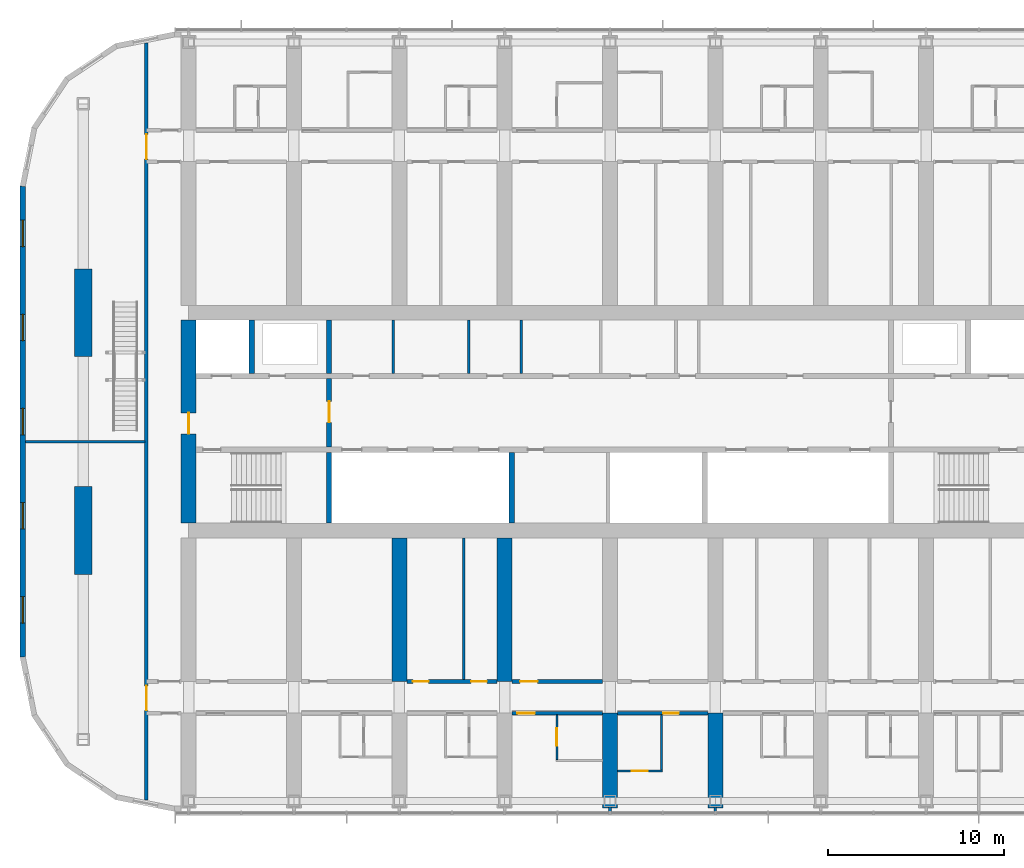
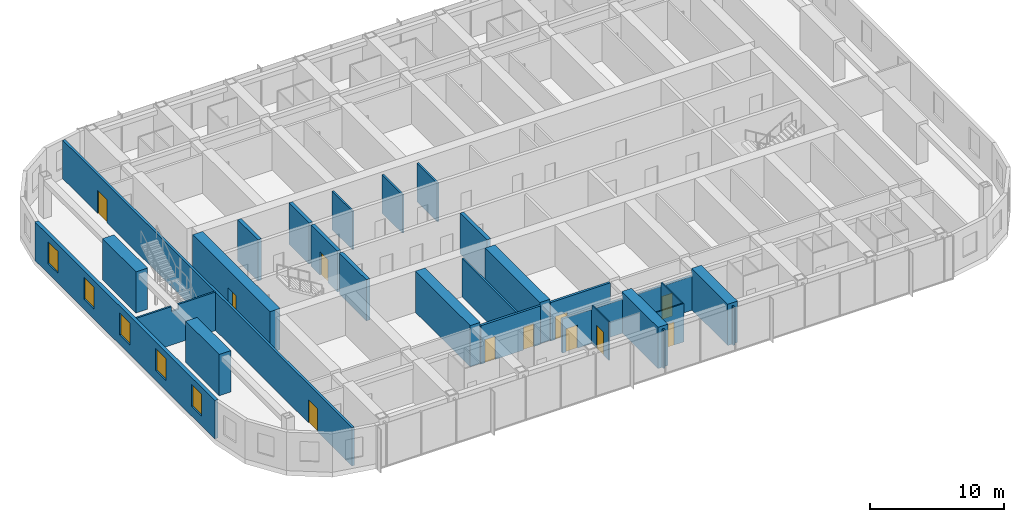
# One storey, part 13 of 27: 28 walls, 11 doors, 5 windows, 16 openings.
"""IFC4 building model written with IfcOpenShell, lengths in metres."""

from ifc_helpers import new_model, si_unit, direction, frame, frame_2d, origin, place, context, subcontext, project, spatial, polyline, rectangle, outline, extrude, material, layer, layer_set, type_object, element, fill, save


model = new_model("IFC4")

# Units and contexts
model_context = context("Model", 3, precision=1e-05, world=origin(), true_north=direction((0.0, 1.0)))
body_context = subcontext(model_context, "Body", "Model", "MODEL_VIEW")
ifc_project = project(units=[si_unit("LENGTHUNIT", "METRE"), si_unit("AREAUNIT", "SQUARE_METRE"), si_unit("VOLUMEUNIT", "CUBIC_METRE"), si_unit("PLANEANGLEUNIT", "RADIAN"), si_unit("MASSUNIT", "GRAM", prefix="KILO")], contexts=[model_context])

# Site, building, storey
site_placement = place(None, origin())
site = spatial("IfcSite", under=ifc_project, at=site_placement, CompositionType="ELEMENT")
building_placement = place(site_placement, origin())
building = spatial("IfcBuilding", under=site, at=building_placement, Name="Orbita Commons", CompositionType="ELEMENT")
storey_placement = place(building_placement, frame((0.0, 0.0, 178.60009765625)))
storey = spatial("IfcBuildingStorey", under=building, at=storey_placement, Name="L44", CompositionType="ELEMENT", Elevation=178.60009765625)

# Wall
ifc_material_1 = material(Name="Concrete C50/60", Category="concrete")
ifc_layer_1 = layer(ifc_material_1, 0.300048828125)
ifc_layer_set_1 = layer_set([ifc_layer_1], Name="Concrete C50/60")
wall_type_1 = type_object("IfcWallType", Name="Core inner wall 300 C50/60", PredefinedType="SHEAR", material=ifc_layer_set_1)
wall_1_placement = place(storey_placement, frame((26.0, 26.22509765625, 0.0), z_axis=(0.0, 0.0, 1.0), x_axis=(0.0, 1.0, 0.0)))
element("IfcWall", 1, at=wall_1_placement, inside=storey, type_object=wall_type_1, Name="Stair S1 wall L44", PredefinedType="SHEAR", context=body_context, shape_type="SweptSolid", body=[
    extrude(rectangle(XDim=4.02490234375, YDim=0.300048828125, at=frame_2d((2.012451171875, 0.0))), origin(), (0.0, 0.0, 1.0), 3.75),
])

# Wall, opening, door
wall_2_placement = place(storey_placement, frame((26.0, 30.550048828125, 0.0), z_axis=(0.0, 0.0, 1.0), x_axis=(0.0, 1.0, 0.0)))
wall_2 = element("IfcWall", 2, at=wall_2_placement, inside=storey, type_object=wall_type_1, Name="Firefighting lobby wall west L44", PredefinedType="SHEAR", context=body_context, shape_type="SweptSolid", body=[
    extrude(rectangle(XDim=3.89990234375, YDim=0.300048828125, at=frame_2d((1.949951171875, 0.0))), origin(), (0.0, 0.0, 1.0), 3.75),
])
opening_1_placement = place(wall_2_placement, frame((1.39990234375, 0.0, 0.0)))
opening_1 = element("IfcOpeningElement", 3, at=opening_1_placement, cuts=wall_2, Name="Opening D04", PredefinedType="OPENING", context=body_context, shape_type="SweptSolid", body=[
    extrude(rectangle(XDim=1.199951171875, YDim=2.10009765625, at=frame_2d((0.60009765625, 1.050048828125))), frame((0.0, 0.159912109375, 0.0), z_axis=(0.0, -1.0, 0.0), x_axis=(1.0, 0.0, 0.0)), (0.0, 0.0, 1.0), 0.320068359375),
])
ifc_material_2 = material(Name="Steel-faced fire door leaf", Category="steel")
door_type_1 = type_object("IfcDoorType", Name="Service door 20 min 1200x2100", OperationType="SINGLE_SWING_LEFT", PredefinedType="DOOR", material=ifc_material_2)
door_1_placement = place(opening_1_placement, origin())
door_1 = element("IfcDoor", 4, at=door_1_placement, inside=storey, type_object=door_type_1, Name="Lift lobby door west", OperationType="SINGLE_SWING_LEFT", OverallHeight=2.10009765625, OverallWidth=1.199951171875, PredefinedType="DOOR", context=body_context, shape_type="SweptSolid", body=[
    extrude(rectangle(XDim=1.199951171875, YDim=2.10009765625, at=frame_2d((0.60009765625, 1.050048828125))), frame((0.0, 0.02490234375, 0.0), z_axis=(0.0, -1.0, 0.0), x_axis=(1.0, 0.0, 0.0)), (0.0, 0.0, 1.0), 0.050048828125),
])
fill(opening_1, door_1)

# Walls
for number, where, z_axis, x_axis, name in (
    (5, (21.60009765625, 34.75, 0.0), (0.0, 0.0, 1.0), (0.0, 1.0, 0.0), "Firefighting lift FL1 shaft wall L44"),
    (6, (26.0, 34.75, 0.0), (0.0, 0.0, 1.0), (0.0, 1.0, 0.0), "Riser wall west L44"),
):
    element("IfcWall", number, at=place(storey_placement, frame(where, z_axis=z_axis, x_axis=x_axis)), inside=storey, type_object=wall_type_1, Name=name, PredefinedType="SHEAR", context=body_context, shape_type="SweptSolid", body=[
        extrude(rectangle(XDim=3.02490234375, YDim=0.300048828125, at=frame_2d((1.512451171875, 0.0))), origin(), (0.0, 0.0, 1.0), 3.75),
    ])
wall_3_placement = place(storey_placement, frame((36.39990234375, 26.22509765625, 0.0), z_axis=(0.0, 0.0, 1.0), x_axis=(0.0, 1.0, 0.0)))
element("IfcWall", 7, at=wall_3_placement, inside=storey, type_object=wall_type_1, Name="Hoistway division wall L44", PredefinedType="SHEAR", context=body_context, shape_type="SweptSolid", body=[
    extrude(rectangle(XDim=4.02490234375, YDim=0.300048828125, at=frame_2d((2.012451171875, 0.0))), origin(), (0.0, 0.0, 1.0), 3.75),
])
ifc_material_3 = material(Name="Concrete blockwork", Category="masonry")
ifc_layer_2 = layer(ifc_material_3, 0.14990234375)
ifc_layer_set_2 = layer_set([ifc_layer_2], Name="Concrete blockwork")
wall_type_2 = type_object("IfcWallType", Name="Core partition 150 blockwork", PredefinedType="SOLIDWALL", material=ifc_layer_set_2)
for number, where, z_axis, x_axis, name in (
    (8, (29.65087890625, 34.75, 0.0), (0.0, 0.0, 1.0), (0.0, 1.0, 0.0), "Core partition 150 blockwork L44"),
    (9, (33.9462890625, 34.75, 0.0), (0.0, 0.0, 1.0), (0.0, 1.0, 0.0), "Core partition 150 blockwork L44"),
    (10, (36.9462890625, 34.75, 0.0), (0.0, 0.0, 1.0), (0.0, 1.0, 0.0), "Core partition 150 blockwork L44"),
):
    element("IfcWall", number, at=place(storey_placement, frame(where, z_axis=z_axis, x_axis=x_axis)), inside=storey, type_object=wall_type_2, Name=name, PredefinedType="SOLIDWALL", context=body_context, shape_type="SweptSolid", body=[
        extrude(rectangle(XDim=3.02490234375, YDim=0.14990234375, at=frame_2d((1.512451171875, 0.0))), origin(), (0.0, 0.0, 1.0), 3.5),
    ])

# Wall, opening, door
ifc_material_4 = material(Name="Concrete C50/60", Category="concrete")
ifc_layer_3 = layer(ifc_material_4, 0.85009765625)
ifc_layer_set_3 = layer_set([ifc_layer_3], Name="Concrete C50/60")
wall_type_3 = type_object("IfcWallType", Name="Core wall 850 C50/60", PredefinedType="SHEAR", material=ifc_layer_set_3)
wall_4_placement = place(storey_placement, frame((18.0, 26.22509765625, 0.0), z_axis=(0.0, 0.0, 1.0), x_axis=(0.0, 1.0, 0.0)))
wall_4 = element("IfcWall", 11, at=wall_4_placement, inside=storey, type_object=wall_type_3, Name="Core end wall west L44", PredefinedType="SHEAR", context=body_context, shape_type="SweptSolid", body=[
    extrude(rectangle(XDim=11.5498046875, YDim=0.85009765625, at=frame_2d((5.77490234375, 0.0))), origin(), (0.0, 0.0, 1.0), 3.75),
])
opening_2_placement = place(wall_4_placement, frame((5.074951171875, 0.0, 0.0)))
opening_2 = element("IfcOpeningElement", 12, at=opening_2_placement, cuts=wall_4, Name="Opening D01", PredefinedType="OPENING", context=body_context, shape_type="SweptSolid", body=[
    extrude(rectangle(XDim=1.199951171875, YDim=2.10009765625, at=frame_2d((0.60009765625, 1.050048828125))), frame((0.0, 0.43505859375, 0.0), z_axis=(0.0, -1.0, 0.0), x_axis=(1.0, 0.0, 0.0)), (0.0, 0.0, 1.0), 0.8701171875),
])
ifc_material_5 = material(Name="Steel-faced fire door leaf", Category="steel")
door_type_2 = type_object("IfcDoorType", Name="Fire door 90 min 1200x2100", OperationType="SINGLE_SWING_LEFT", PredefinedType="DOOR", material=ifc_material_5)
door_2_placement = place(opening_2_placement, origin())
door_2 = element("IfcDoor", 13, at=door_2_placement, inside=storey, type_object=door_type_2, Name="Firefighting lobby west door", OperationType="SINGLE_SWING_LEFT", OverallHeight=2.10009765625, OverallWidth=1.199951171875, PredefinedType="DOOR", context=body_context, shape_type="SweptSolid", body=[
    extrude(rectangle(XDim=1.199951171875, YDim=2.10009765625, at=frame_2d((0.60009765625, 1.050048828125))), frame((0.0, 0.02490234375, 0.0), z_axis=(0.0, -1.0, 0.0), x_axis=(1.0, 0.0, 0.0)), (0.0, 0.0, 1.0), 0.050048828125),
])
fill(opening_2, door_2)

ifc_material_6 = material(Name="Concrete blockwork", Category="masonry")
ifc_layer_4 = layer(ifc_material_6, 0.199951171875)
ifc_layer_set_4 = layer_set([ifc_layer_4], Name="Concrete blockwork")
wall_type_4 = type_object("IfcWallType", Name="Corridor wall 200 blockwork", PredefinedType="SOLIDWALL", material=ifc_layer_set_4)
wall_5_placement = place(storey_placement, frame((36.425048828125, 15.39990234375, 0.0), z_axis=(0.0, 0.0, 1.0), x_axis=(1.0, 0.0, 0.0)))
wall_5 = element("IfcWall", 14, at=wall_5_placement, inside=storey, type_object=wall_type_4, Name="Corridor wall 200 blockwork L44", PredefinedType="SOLIDWALL", context=body_context, shape_type="SweptSolid", body=[
    extrude(outline(polyline([(0.0, 0.0), (5.14990234375, 0.0), (5.14990234375, 3.099853515625), (0.0, 3.099853515625), (0.0, 0.0)])), frame((0.0, 0.10009765625, 0.0), z_axis=(0.0, -1.0, 0.0), x_axis=(1.0, 0.0, 0.0)), (0.0, 0.0, 1.0), 0.199951171875),
])
opening_3_placement = place(wall_5_placement, frame((0.300048828125, 0.0, 0.0)))
opening_3 = element("IfcOpeningElement", 15, at=opening_3_placement, cuts=wall_5, Name="Opening D06", PredefinedType="OPENING", context=body_context, shape_type="SweptSolid", body=[
    extrude(rectangle(XDim=1.0, YDim=2.10009765625, at=frame_2d((0.5, 1.050048828125))), frame((0.0, 0.10986328125, 0.0), z_axis=(0.0, -1.0, 0.0), x_axis=(1.0, 0.0, 0.0)), (0.0, 0.0, 1.0), 0.219970703125),
])
ifc_material_7 = material(Name="Steel-faced fire door leaf", Category="steel")
door_type_3 = type_object("IfcDoorType", Name="Corridor door 20 min 1000x2100", OperationType="SINGLE_SWING_LEFT", PredefinedType="DOOR", material=ifc_material_7)
door_3_placement = place(opening_3_placement, origin())
door_3 = element("IfcDoor", 16, at=door_3_placement, inside=storey, type_object=door_type_3, Name="Accessible bedroom L44-S06 door", OperationType="SINGLE_SWING_LEFT", OverallHeight=2.10009765625, OverallWidth=1.0, PredefinedType="DOOR", context=body_context, shape_type="SweptSolid", body=[
    extrude(rectangle(XDim=1.0, YDim=2.10009765625, at=frame_2d((0.5, 1.050048828125))), frame((0.0, 0.02490234375, 0.0), z_axis=(0.0, -1.0, 0.0), x_axis=(1.0, 0.0, 0.0)), (0.0, 0.0, 1.0), 0.050048828125),
])
fill(opening_3, door_3)

wall_6_placement = place(storey_placement, frame((42.425048828125, 15.39990234375, 0.0), z_axis=(0.0, 0.0, 1.0), x_axis=(1.0, 0.0, 0.0)))
wall_6 = element("IfcWall", 17, at=wall_6_placement, inside=storey, type_object=wall_type_4, Name="Corridor wall 200 blockwork L44", PredefinedType="SOLIDWALL", context=body_context, shape_type="SweptSolid", body=[
    extrude(outline(polyline([(0.0, 0.0), (5.14990234375, 0.0), (5.14990234375, 3.099853515625), (0.0, 3.099853515625), (0.0, 0.0)])), frame((0.0, 0.10009765625, 0.0), z_axis=(0.0, -1.0, 0.0), x_axis=(1.0, 0.0, 0.0)), (0.0, 0.0, 1.0), 0.199951171875),
])
opening_4_placement = place(wall_6_placement, frame((2.60009765625, 0.0, 0.0)))
opening_4 = element("IfcOpeningElement", 18, at=opening_4_placement, cuts=wall_6, Name="Opening D11", PredefinedType="OPENING", context=body_context, shape_type="SweptSolid", body=[
    extrude(rectangle(XDim=0.89990234375, YDim=2.10009765625, at=frame_2d((0.449951171875, 1.050048828125))), frame((0.0, 0.10986328125, 0.0), z_axis=(0.0, -1.0, 0.0), x_axis=(1.0, 0.0, 0.0)), (0.0, 0.0, 1.0), 0.219970703125),
])
ifc_material_8 = material(Name="Steel-faced fire door leaf", Category="steel")
door_type_4 = type_object("IfcDoorType", Name="Corridor door 20 min 900x2100", OperationType="SINGLE_SWING_LEFT", PredefinedType="DOOR", material=ifc_material_8)
door_4_placement = place(opening_4_placement, origin())
door_4 = element("IfcDoor", 19, at=door_4_placement, inside=storey, type_object=door_type_4, Name="Twin room L44-S08 door", OperationType="SINGLE_SWING_LEFT", OverallHeight=2.10009765625, OverallWidth=0.89990234375, PredefinedType="DOOR", context=body_context, shape_type="SweptSolid", body=[
    extrude(rectangle(XDim=0.89990234375, YDim=2.10009765625, at=frame_2d((0.449951171875, 1.050048828125))), frame((0.0, 0.02490234375, 0.0), z_axis=(0.0, -1.0, 0.0), x_axis=(1.0, 0.0, 0.0)), (0.0, 0.0, 1.0), 0.050048828125),
])
fill(opening_4, door_4)

# Wall, openings, doors
wall_7_placement = place(storey_placement, frame((15.60009765625, 10.4462890625, 0.0), z_axis=(0.0, 0.0, 1.0), x_axis=(0.0, 1.0, 0.0)))
wall_7 = element("IfcWall", 20, at=wall_7_placement, inside=storey, type_object=wall_type_4, Name="Corridor wall 200 blockwork L44", PredefinedType="SOLIDWALL", context=body_context, shape_type="SweptSolid", body=[
    extrude(rectangle(XDim=43.107421875, YDim=0.199951171875, at=frame_2d((21.5537109375, 0.0))), origin(), (0.0, 0.0, 1.0), 3.5),
])
opening_5_placement = place(wall_7_placement, frame((5.103759765625, 0.0, 0.0)))
opening_5 = element("IfcOpeningElement", 21, at=opening_5_placement, cuts=wall_7, Name="Opening D08", PredefinedType="OPENING", context=body_context, shape_type="SweptSolid", body=[
    extrude(rectangle(XDim=1.39990234375, YDim=2.10009765625, at=frame_2d((0.699951171875, 1.050048828125))), frame((0.0, 0.10986328125, 0.0), z_axis=(0.0, -1.0, 0.0), x_axis=(1.0, 0.0, 0.0)), (0.0, 0.0, 1.0), 0.219970703125),
])
opening_6_placement = place(wall_7_placement, frame((36.50390625, 0.0, 0.0)))
opening_6 = element("IfcOpeningElement", 22, at=opening_6_placement, cuts=wall_7, Name="Opening D08", PredefinedType="OPENING", context=body_context, shape_type="SweptSolid", body=[
    extrude(rectangle(XDim=1.39990234375, YDim=2.10009765625, at=frame_2d((0.699951171875, 1.050048828125))), frame((0.0, 0.10986328125, 0.0), z_axis=(0.0, -1.0, 0.0), x_axis=(1.0, 0.0, 0.0)), (0.0, 0.0, 1.0), 0.219970703125),
])
ifc_material_9 = material(Name="Steel-faced fire door leaf", Category="steel")
door_type_5 = type_object("IfcDoorType", Name="Double corridor door 20 min 1400x2100", OperationType="DOUBLE_DOOR_SINGLE_SWING", PredefinedType="DOOR", material=ifc_material_9)
door_5_placement = place(opening_5_placement, origin())
door_5 = element("IfcDoor", 23, at=door_5_placement, inside=storey, type_object=door_type_5, Name="Lounge doors", OperationType="DOUBLE_DOOR_SINGLE_SWING", OverallHeight=2.10009765625, OverallWidth=1.39990234375, PredefinedType="DOOR", context=body_context, shape_type="SweptSolid", body=[
    extrude(rectangle(XDim=1.39990234375, YDim=2.10009765625, at=frame_2d((0.699951171875, 1.050048828125))), frame((0.0, 0.02490234375, 0.0), z_axis=(0.0, -1.0, 0.0), x_axis=(1.0, 0.0, 0.0)), (0.0, 0.0, 1.0), 0.050048828125),
])
fill(opening_5, door_5)
door_6_placement = place(opening_6_placement, origin())
door_6 = element("IfcDoor", 24, at=door_6_placement, inside=storey, type_object=door_type_5, Name="Lounge doors", OperationType="DOUBLE_DOOR_SINGLE_SWING", OverallHeight=2.10009765625, OverallWidth=1.39990234375, PredefinedType="DOOR", context=body_context, shape_type="SweptSolid", body=[
    extrude(rectangle(XDim=1.39990234375, YDim=2.10009765625, at=frame_2d((0.699951171875, 1.050048828125))), frame((0.0, 0.02490234375, 0.0), z_axis=(0.0, -1.0, 0.0), x_axis=(1.0, 0.0, 0.0)), (0.0, 0.0, 1.0), 0.050048828125),
])
fill(opening_6, door_6)

ifc_material_10 = material(Name="Hollow concrete block 200", Category="concrete")
ifc_layer_5 = layer(ifc_material_10, 0.199951171875)
ifc_layer_set_5 = layer_set([ifc_layer_5], Name="Hollow concrete block 200")
wall_type_5 = type_object("IfcWallType", Name="Corridor wall 200 hollow concrete block", PredefinedType="SOLIDWALL", material=ifc_layer_set_5)
wall_8_placement = place(storey_placement, frame((30.425048828125, 17.199951171875, 0.0), z_axis=(0.0, 0.0, 1.0), x_axis=(1.0, 0.0, 0.0)))
wall_8 = element("IfcWall", 25, at=wall_8_placement, inside=storey, type_object=wall_type_5, Name="Corridor wall 200 hollow concrete block L44", PredefinedType="SOLIDWALL", context=body_context, shape_type="SweptSolid", body=[
    extrude(rectangle(XDim=5.14990234375, YDim=0.199951171875, at=frame_2d((2.574951171875, 0.0))), origin(), (0.0, 0.0, 1.0), 3.5),
])
opening_7_placement = place(wall_8_placement, frame((0.35009765625, 0.0, 0.0)))
opening_7 = element("IfcOpeningElement", 26, at=opening_7_placement, cuts=wall_8, Name="Opening D11", PredefinedType="OPENING", context=body_context, shape_type="SweptSolid", body=[
    extrude(rectangle(XDim=0.89990234375, YDim=2.10009765625, at=frame_2d((0.449951171875, 1.050048828125))), frame((0.0, 0.10986328125, 0.0), z_axis=(0.0, -1.0, 0.0), x_axis=(1.0, 0.0, 0.0)), (0.0, 0.0, 1.0), 0.219970703125),
])
opening_8_placement = place(wall_8_placement, frame((3.6650390625, 0.0, 0.0)))
opening_8 = element("IfcOpeningElement", 27, at=opening_8_placement, cuts=wall_8, Name="Opening D11", PredefinedType="OPENING", context=body_context, shape_type="SweptSolid", body=[
    extrude(rectangle(XDim=0.89990234375, YDim=2.10009765625, at=frame_2d((0.449951171875, 1.050048828125))), frame((0.0, 0.10986328125, 0.0), z_axis=(0.0, -1.0, 0.0), x_axis=(1.0, 0.0, 0.0)), (0.0, 0.0, 1.0), 0.219970703125),
])
door_7_placement = place(opening_7_placement, origin())
door_7 = element("IfcDoor", 28, at=door_7_placement, inside=storey, type_object=door_type_4, Name="Maker workshop L44-BDS30 door", OperationType="SINGLE_SWING_LEFT", OverallHeight=2.10009765625, OverallWidth=0.89990234375, PredefinedType="DOOR", context=body_context, shape_type="SweptSolid", body=[
    extrude(rectangle(XDim=0.89990234375, YDim=2.10009765625, at=frame_2d((0.449951171875, 1.050048828125))), frame((0.0, 0.02490234375, 0.0), z_axis=(0.0, -1.0, 0.0), x_axis=(1.0, 0.0, 0.0)), (0.0, 0.0, 1.0), 0.050048828125),
])
fill(opening_7, door_7)
door_8_placement = place(opening_8_placement, origin())
door_8 = element("IfcDoor", 29, at=door_8_placement, inside=storey, type_object=door_type_4, Name="Accessible WC and shower room L44-BDS30n door", OperationType="SINGLE_SWING_LEFT", OverallHeight=2.10009765625, OverallWidth=0.89990234375, PredefinedType="DOOR", context=body_context, shape_type="SweptSolid", body=[
    extrude(rectangle(XDim=0.89990234375, YDim=2.10009765625, at=frame_2d((0.449951171875, 1.050048828125))), frame((0.0, 0.02490234375, 0.0), z_axis=(0.0, -1.0, 0.0), x_axis=(1.0, 0.0, 0.0)), (0.0, 0.0, 1.0), 0.050048828125),
])
fill(opening_8, door_8)

# Wall, opening, door
wall_9_placement = place(storey_placement, frame((36.425048828125, 17.199951171875, 0.0), z_axis=(0.0, 0.0, 1.0), x_axis=(1.0, 0.0, 0.0)))
wall_9 = element("IfcWall", 30, at=wall_9_placement, inside=storey, type_object=wall_type_5, Name="Corridor wall 200 hollow concrete block L44", PredefinedType="SOLIDWALL", context=body_context, shape_type="SweptSolid", body=[
    extrude(rectangle(XDim=5.14990234375, YDim=0.199951171875, at=frame_2d((2.574951171875, 0.0))), origin(), (0.0, 0.0, 1.0), 3.5),
])
opening_9_placement = place(wall_9_placement, frame((0.449951171875, 0.0, 0.0)))
opening_9 = element("IfcOpeningElement", 31, at=opening_9_placement, cuts=wall_9, Name="Opening D06", PredefinedType="OPENING", context=body_context, shape_type="SweptSolid", body=[
    extrude(rectangle(XDim=1.0, YDim=2.10009765625, at=frame_2d((0.5, 1.050048828125))), frame((0.0, 0.10986328125, 0.0), z_axis=(0.0, -1.0, 0.0), x_axis=(1.0, 0.0, 0.0)), (0.0, 0.0, 1.0), 0.219970703125),
])
door_9_placement = place(opening_9_placement, origin())
door_9 = element("IfcDoor", 32, at=door_9_placement, inside=storey, type_object=door_type_3, Name="Drying room L44-BDS36 door", OperationType="SINGLE_SWING_LEFT", OverallHeight=2.10009765625, OverallWidth=1.0, PredefinedType="DOOR", context=body_context, shape_type="SweptSolid", body=[
    extrude(rectangle(XDim=1.0, YDim=2.10009765625, at=frame_2d((0.5, 1.050048828125))), frame((0.0, 0.02490234375, 0.0), z_axis=(0.0, -1.0, 0.0), x_axis=(1.0, 0.0, 0.0)), (0.0, 0.0, 1.0), 0.050048828125),
])
fill(opening_9, door_9)

# Walls
ifc_material_11 = material(Name="Concrete C50/60", Category="concrete")
ifc_layer_6 = layer(ifc_material_11, 0.85009765625)
ifc_layer_set_6 = layer_set([ifc_layer_6], Name="Concrete C50/60")
wall_type_6 = type_object("IfcWallType", Name="Cross wall 850 C50/60", PredefinedType="SHEAR", material=ifc_layer_set_6)
for number, where, z_axis, x_axis, name in (
    (33, (30.0, 17.199951171875, 0.0), (0.0, 0.0, 1.0), (0.0, 1.0, 0.0), "Cross wall 6 south inner L44"),
    (34, (36.0, 17.199951171875, 0.0), (0.0, 0.0, 1.0), (0.0, 1.0, 0.0), "Cross wall 7 south inner L44"),
):
    element("IfcWall", number, at=place(storey_placement, frame(where, z_axis=z_axis, x_axis=x_axis)), inside=storey, type_object=wall_type_6, Name=name, PredefinedType="SHEAR", context=body_context, shape_type="SweptSolid", body=[
        extrude(rectangle(XDim=8.175048828125, YDim=0.85009765625, at=frame_2d((4.08740234375, 0.0))), origin(), (0.0, 0.0, 1.0), 3.75),
    ])
for number, where, z_axis, x_axis, name in (
    (35, (42.0, 10.0, 0.0), (0.0, 0.0, 1.0), (0.0, 1.0, 0.0), "Cross wall 8 south outer L44"),
    (36, (48.0, 10.0, 0.0), (0.0, 0.0, 1.0), (0.0, 1.0, 0.0), "Cross wall 9 south outer L44"),
):
    element("IfcWall", number, at=place(storey_placement, frame(where, z_axis=z_axis, x_axis=x_axis)), inside=storey, type_object=wall_type_6, Name=name, PredefinedType="SHEAR", context=body_context, shape_type="SweptSolid", body=[
        extrude(rectangle(XDim=5.39990234375, YDim=0.85009765625, at=frame_2d((2.699951171875, 0.0))), origin(), (0.0, 0.0, 1.0), 3.75),
    ])

# Wall, opening, door
ifc_material_12 = material(Name="Moisture-resistant plasterboard on steel studs", Category="steel")
ifc_layer_7 = layer(ifc_material_12, 0.10009765625)
ifc_layer_set_7 = layer_set([ifc_layer_7], Name="Moisture-resistant plasterboard on steel studs")
wall_type_7 = type_object("IfcWallType", Name="En-suite partition 100", PredefinedType="PARTITIONING", material=ifc_layer_set_7)
wall_10_placement = place(storey_placement, frame((38.97509765625, 12.75, 0.0), z_axis=(0.0, 0.0, 1.0), x_axis=(0.0, 1.0, 0.0)))
wall_10 = element("IfcWall", 37, at=wall_10_placement, inside=storey, type_object=wall_type_7, Name="En-suite partition 100 L44", PredefinedType="PARTITIONING", context=body_context, shape_type="SweptSolid", body=[
    extrude(outline(polyline([(0.0, 0.0), (2.550048828125, 0.0), (2.550048828125, 3.099853515625), (2.501953125, 3.099853515625), (2.5, 3.5), (0.0, 3.5), (0.0, 0.0)])), frame((0.0, 0.050048828125, 0.0), z_axis=(0.0, -1.0, 0.0), x_axis=(1.0, 0.0, 0.0)), (0.0, 0.0, 1.0), 0.10009765625),
])
opening_10_placement = place(wall_10_placement, frame((0.800048828125, 0.0, 0.0)))
opening_10 = element("IfcOpeningElement", 38, at=opening_10_placement, cuts=wall_10, Name="Opening D13", PredefinedType="OPENING", context=body_context, shape_type="SweptSolid", body=[
    extrude(rectangle(XDim=1.0, YDim=2.10009765625, at=frame_2d((0.5, 1.050048828125))), frame((0.0, 0.06005859375, 0.0), z_axis=(0.0, -1.0, 0.0), x_axis=(1.0, 0.0, 0.0)), (0.0, 0.0, 1.0), 0.1201171875),
])
ifc_material_13 = material(Name="Laminated timber door leaf", Category="wood")
door_type_6 = type_object("IfcDoorType", Name="En-suite door 1000x2100", OperationType="SINGLE_SWING_RIGHT", PredefinedType="DOOR", material=ifc_material_13)
door_10_placement = place(opening_10_placement, origin())
door_10 = element("IfcDoor", 39, at=door_10_placement, inside=storey, type_object=door_type_6, Name="Accessible shower room L44-S06 door", OperationType="SINGLE_SWING_RIGHT", OverallHeight=2.10009765625, OverallWidth=1.0, PredefinedType="DOOR", context=body_context, shape_type="SweptSolid", body=[
    extrude(rectangle(XDim=1.0, YDim=2.10009765625, at=frame_2d((0.5, 1.050048828125))), frame((0.0, 0.02490234375, 0.0), z_axis=(0.0, -1.0, 0.0), x_axis=(1.0, 0.0, 0.0)), (0.0, 0.0, 1.0), 0.050048828125),
])
fill(opening_10, door_10)

wall_11_placement = place(storey_placement, frame((44.97509765625, 12.10009765625, 0.0), z_axis=(0.0, 0.0, 1.0), x_axis=(-1.0, 0.0, 0.0)))
wall_11 = element("IfcWall", 40, at=wall_11_placement, inside=storey, type_object=wall_type_7, Name="En-suite partition 100 L44", PredefinedType="PARTITIONING", context=body_context, shape_type="SweptSolid", body=[
    extrude(rectangle(XDim=2.550048828125, YDim=0.10009765625, at=frame_2d((1.27490234375, 0.0))), origin(), (0.0, 0.0, 1.0), 3.5),
])
opening_11_placement = place(wall_11_placement, frame((0.824951171875, 0.0, 0.0)))
opening_11 = element("IfcOpeningElement", 41, at=opening_11_placement, cuts=wall_11, Name="Opening D09", PredefinedType="OPENING", context=body_context, shape_type="SweptSolid", body=[
    extrude(rectangle(XDim=0.89990234375, YDim=2.10009765625, at=frame_2d((0.449951171875, 1.050048828125))), frame((0.0, 0.06005859375, 0.0), z_axis=(0.0, -1.0, 0.0), x_axis=(1.0, 0.0, 0.0)), (0.0, 0.0, 1.0), 0.1201171875),
])
ifc_material_14 = material(Name="Laminated timber door leaf", Category="wood")
door_type_7 = type_object("IfcDoorType", Name="En-suite door 900x2100", OperationType="SINGLE_SWING_RIGHT", PredefinedType="DOOR", material=ifc_material_14)
door_11_placement = place(opening_11_placement, origin())
door_11 = element("IfcDoor", 42, at=door_11_placement, inside=storey, type_object=door_type_7, Name="En-suite L44-S08 door", OperationType="SINGLE_SWING_RIGHT", OverallHeight=2.10009765625, OverallWidth=0.89990234375, PredefinedType="DOOR", context=body_context, shape_type="SweptSolid", body=[
    extrude(rectangle(XDim=0.89990234375, YDim=2.10009765625, at=frame_2d((0.449951171875, 1.050048828125))), frame((0.0, 0.02490234375, 0.0), z_axis=(0.0, -1.0, 0.0), x_axis=(1.0, 0.0, 0.0)), (0.0, 0.0, 1.0), 0.050048828125),
])
fill(opening_11, door_11)

# Walls
wall_12_placement = place(storey_placement, frame((44.925048828125, 12.14990234375, 0.0), z_axis=(0.0, 0.0, 1.0), x_axis=(0.0, 1.0, 0.0)))
element("IfcWall", 43, at=wall_12_placement, inside=storey, type_object=wall_type_7, Name="En-suite partition 100 L44", PredefinedType="PARTITIONING", context=body_context, shape_type="SweptSolid", body=[
    extrude(outline(polyline([(0.0, 0.0), (3.150146484375, 0.0), (3.14990234375, 3.099853515625), (3.10205078125, 3.099853515625), (3.10009765625, 3.5), (0.0, 3.5), (0.0, 0.0)])), frame((0.0, 0.050048828125, 0.0), z_axis=(0.0, -1.0, 0.0), x_axis=(1.0, 0.0, 0.0)), (0.0, 0.0, 1.0), 0.10009765625),
])
ifc_material_15 = material(Name="Concrete C50/60", Category="concrete")
ifc_layer_8 = layer(ifc_material_15, 1.0)
ifc_layer_set_8 = layer_set([ifc_layer_8], Name="Concrete C50/60")
wall_type_8 = type_object("IfcWallType", Name="End pier 1000x5000 C50/60", PredefinedType="SHEAR", material=ifc_layer_set_8)
for number, where, z_axis, x_axis, name in (
    (44, (12.0, 23.300048828125, 0.0), (0.0, 0.0, 1.0), (0.0, 1.0, 0.0), "End pier 3/C L44"),
    (45, (12.0, 35.699951171875, 0.0), (0.0, 0.0, 1.0), (0.0, 1.0, 0.0), "End pier 3/D L44"),
):
    element("IfcWall", number, at=place(storey_placement, frame(where, z_axis=z_axis, x_axis=x_axis)), inside=storey, type_object=wall_type_8, Name=name, PredefinedType="SHEAR", context=body_context, shape_type="SweptSolid", body=[
        extrude(rectangle(XDim=5.0, YDim=1.0, at=frame_2d((2.5, 0.0))), origin(), (0.0, 0.0, 1.0), 3.75),
    ])
ifc_material_16 = material(Name="Gypsum plasterboard on steel studs", Category="steel")
ifc_layer_9 = layer(ifc_material_16, 0.14990234375)
ifc_layer_set_9 = layer_set([ifc_layer_9], Name="Gypsum plasterboard on steel studs")
wall_type_9 = type_object("IfcWallType", Name="Partition 150 plasterboard", PredefinedType="PARTITIONING", material=ifc_layer_set_9)
wall_13_placement = place(storey_placement, frame((33.6650390625, 17.300048828125, 0.0), z_axis=(0.0, 0.0, 1.0), x_axis=(0.0, 1.0, 0.0)))
element("IfcWall", 46, at=wall_13_placement, inside=storey, type_object=wall_type_9, Name="Partition 150 plasterboard L44", PredefinedType="PARTITIONING", context=body_context, shape_type="SweptSolid", body=[
    extrude(rectangle(XDim=8.074951171875, YDim=0.14990234375, at=frame_2d((4.03759765625, 0.0))), origin(), (0.0, 0.0, 1.0), 3.5),
])
wall_14_placement = place(storey_placement, frame((8.705078125, 30.85009765625, 0.0), z_axis=(0.0, 0.0, 1.0), x_axis=(1.0, 0.0, 0.0)))
element("IfcWall", 47, at=wall_14_placement, inside=storey, type_object=wall_type_9, Name="Partition 150 plasterboard L44", PredefinedType="PARTITIONING", context=body_context, shape_type="SweptSolid", body=[
    extrude(outline(polyline([(0.0, 0.0), (6.81982421875, 0.0), (6.820068359375, 3.5), (3.596923828125, 3.5), (3.594970703125, 3.0498046875), (2.9970703125, 3.0498046875), (2.9951171875, 3.5), (0.0, 3.5), (0.0, 0.0)])), frame((0.0, 0.074951171875, 0.0), z_axis=(0.0, -1.0, 0.0), x_axis=(1.0, 0.0, 0.0)), (0.0, 0.0, 1.0), 0.14990234375),
])
for number, where, z_axis, x_axis, name in (
    (48, (42.0, 10.050048828125, 0.0), (0.0, 0.0, 1.0), (0.0, -1.0, 0.0), "Partition 150 plasterboard L44"),
    (49, (48.0, 10.050048828125, 0.0), (0.0, 0.0, 1.0), (0.0, -1.0, 0.0), "Partition 150 plasterboard L44"),
):
    element("IfcWall", number, at=place(storey_placement, frame(where, z_axis=z_axis, x_axis=x_axis)), inside=storey, type_object=wall_type_9, Name=name, PredefinedType="PARTITIONING", context=body_context, shape_type="SweptSolid", body=[
        extrude(rectangle(XDim=0.239990234375, YDim=0.14990234375, at=frame_2d((0.1201171875, 0.0))), origin(), (0.0, 0.0, 1.0), 3.5),
    ])

# Wall, openings, windows
ifc_material_17 = material(Name="Precast concrete C40/50, white board-marked finish", Category="concrete")
ifc_layer_10 = layer(ifc_material_17, 0.300048828125)
ifc_layer_set_10 = layer_set([ifc_layer_10], Name="Precast concrete C40/50, white board-marked finish")
wall_type_10 = type_object("IfcWallType", Name="Precast concrete end shield 300", PredefinedType="SOLIDWALL", material=ifc_layer_set_10)
wall_15_placement = place(storey_placement, frame((8.550048828125, 45.39990234375, 0.0), z_axis=(0.0, 0.0, 1.0), x_axis=(0.0, -1.0, 0.0)))
wall_15 = element("IfcWall", 50, at=wall_15_placement, inside=storey, type_object=wall_type_10, Name="End shield W L44", PredefinedType="SOLIDWALL", context=body_context, shape_type="SweptSolid", body=[
    extrude(outline(polyline([(-0.014892578125, -0.14990234375), (26.814697265625, -0.14990234375), (26.784912109375, 0.14990234375), (0.014892578125, 0.14990234375), (-0.014892578125, -0.14990234375)])), origin(), (0.0, 0.0, 1.0), 3.5),
])
opening_12_placement = place(wall_15_placement, frame((1.929931640625, 0.0, 0.89990234375)))
opening_12 = element("IfcOpeningElement", 51, at=opening_12_placement, cuts=wall_15, Name="Opening W01", PredefinedType="OPENING", context=body_context, shape_type="SweptSolid", body=[
    extrude(rectangle(XDim=1.5, YDim=2.0, at=frame_2d((0.75, 1.0))), frame((0.0, 0.159912109375, 0.0), z_axis=(0.0, -1.0, 0.0), x_axis=(1.0, 0.0, 0.0)), (0.0, 0.0, 1.0), 0.320068359375),
])
opening_13_placement = place(wall_15_placement, frame((7.2900390625, 0.0, 0.89990234375)))
opening_13 = element("IfcOpeningElement", 52, at=opening_13_placement, cuts=wall_15, Name="Opening W01", PredefinedType="OPENING", context=body_context, shape_type="SweptSolid", body=[
    extrude(rectangle(XDim=1.5, YDim=2.0, at=frame_2d((0.75, 1.0))), frame((0.0, 0.159912109375, 0.0), z_axis=(0.0, -1.0, 0.0), x_axis=(1.0, 0.0, 0.0)), (0.0, 0.0, 1.0), 0.320068359375),
])
opening_14_placement = place(wall_15_placement, frame((12.64990234375, 0.0, 0.89990234375)))
opening_14 = element("IfcOpeningElement", 53, at=opening_14_placement, cuts=wall_15, Name="Opening W01", PredefinedType="OPENING", context=body_context, shape_type="SweptSolid", body=[
    extrude(rectangle(XDim=1.5, YDim=2.0, at=frame_2d((0.75, 1.0))), frame((0.0, 0.159912109375, 0.0), z_axis=(0.0, -1.0, 0.0), x_axis=(1.0, 0.0, 0.0)), (0.0, 0.0, 1.0), 0.320068359375),
])
opening_15_placement = place(wall_15_placement, frame((18.010009765625, 0.0, 0.89990234375)))
opening_15 = element("IfcOpeningElement", 54, at=opening_15_placement, cuts=wall_15, Name="Opening W01", PredefinedType="OPENING", context=body_context, shape_type="SweptSolid", body=[
    extrude(rectangle(XDim=1.5, YDim=2.0, at=frame_2d((0.75, 1.0))), frame((0.0, 0.159912109375, 0.0), z_axis=(0.0, -1.0, 0.0), x_axis=(1.0, 0.0, 0.0)), (0.0, 0.0, 1.0), 0.320068359375),
])
opening_16_placement = place(wall_15_placement, frame((23.3701171875, 0.0, 0.89990234375)))
opening_16 = element("IfcOpeningElement", 55, at=opening_16_placement, cuts=wall_15, Name="Opening W01", PredefinedType="OPENING", context=body_context, shape_type="SweptSolid", body=[
    extrude(rectangle(XDim=1.5, YDim=2.0, at=frame_2d((0.75, 1.0))), frame((0.0, 0.159912109375, 0.0), z_axis=(0.0, -1.0, 0.0), x_axis=(1.0, 0.0, 0.0)), (0.0, 0.0, 1.0), 0.320068359375),
])
ifc_material_18 = material(Name="Aluminium frame, clear double glazing", Category="aluminium")
window_type = type_object("IfcWindowType", Name="Deep-set window 1500x2000", PartitioningType="SINGLE_PANEL", PredefinedType="WINDOW", material=ifc_material_18)
window_1_placement = place(opening_12_placement, origin())
window_1 = element("IfcWindow", 56, at=window_1_placement, inside=storey, type_object=window_type, Name="Window L44-W 1", OverallHeight=2.0, OverallWidth=1.5, PartitioningType="SINGLE_PANEL", PredefinedType="WINDOW", context=body_context, shape_type="SweptSolid", body=[
    extrude(rectangle(XDim=1.5, YDim=2.0, at=frame_2d((0.75, 1.0))), frame((0.0, 0.030029296875, 0.0), z_axis=(0.0, -1.0, 0.0), x_axis=(1.0, 0.0, 0.0)), (0.0, 0.0, 1.0), 0.06005859375),
])
fill(opening_12, window_1)
window_2_placement = place(opening_13_placement, origin())
window_2 = element("IfcWindow", 57, at=window_2_placement, inside=storey, type_object=window_type, Name="Window L44-W 2", OverallHeight=2.0, OverallWidth=1.5, PartitioningType="SINGLE_PANEL", PredefinedType="WINDOW", context=body_context, shape_type="SweptSolid", body=[
    extrude(rectangle(XDim=1.5, YDim=2.0, at=frame_2d((0.75, 1.0))), frame((0.0, 0.030029296875, 0.0), z_axis=(0.0, -1.0, 0.0), x_axis=(1.0, 0.0, 0.0)), (0.0, 0.0, 1.0), 0.06005859375),
])
fill(opening_13, window_2)
window_3_placement = place(opening_14_placement, origin())
window_3 = element("IfcWindow", 58, at=window_3_placement, inside=storey, type_object=window_type, Name="Window L44-W 3", OverallHeight=2.0, OverallWidth=1.5, PartitioningType="SINGLE_PANEL", PredefinedType="WINDOW", context=body_context, shape_type="SweptSolid", body=[
    extrude(rectangle(XDim=1.5, YDim=2.0, at=frame_2d((0.75, 1.0))), frame((0.0, 0.030029296875, 0.0), z_axis=(0.0, -1.0, 0.0), x_axis=(1.0, 0.0, 0.0)), (0.0, 0.0, 1.0), 0.06005859375),
])
fill(opening_14, window_3)
window_4_placement = place(opening_15_placement, origin())
window_4 = element("IfcWindow", 59, at=window_4_placement, inside=storey, type_object=window_type, Name="Window L44-W 4", OverallHeight=2.0, OverallWidth=1.5, PartitioningType="SINGLE_PANEL", PredefinedType="WINDOW", context=body_context, shape_type="SweptSolid", body=[
    extrude(rectangle(XDim=1.5, YDim=2.0, at=frame_2d((0.75, 1.0))), frame((0.0, 0.030029296875, 0.0), z_axis=(0.0, -1.0, 0.0), x_axis=(1.0, 0.0, 0.0)), (0.0, 0.0, 1.0), 0.06005859375),
])
fill(opening_15, window_4)
window_5_placement = place(opening_16_placement, origin())
window_5 = element("IfcWindow", 60, at=window_5_placement, inside=storey, type_object=window_type, Name="Window L44-W 5", OverallHeight=2.0, OverallWidth=1.5, PartitioningType="SINGLE_PANEL", PredefinedType="WINDOW", context=body_context, shape_type="SweptSolid", body=[
    extrude(rectangle(XDim=1.5, YDim=2.0, at=frame_2d((0.75, 1.0))), frame((0.0, 0.030029296875, 0.0), z_axis=(0.0, -1.0, 0.0), x_axis=(1.0, 0.0, 0.0)), (0.0, 0.0, 1.0), 0.06005859375),
])
fill(opening_16, window_5)

save(model, "model.ifc")
